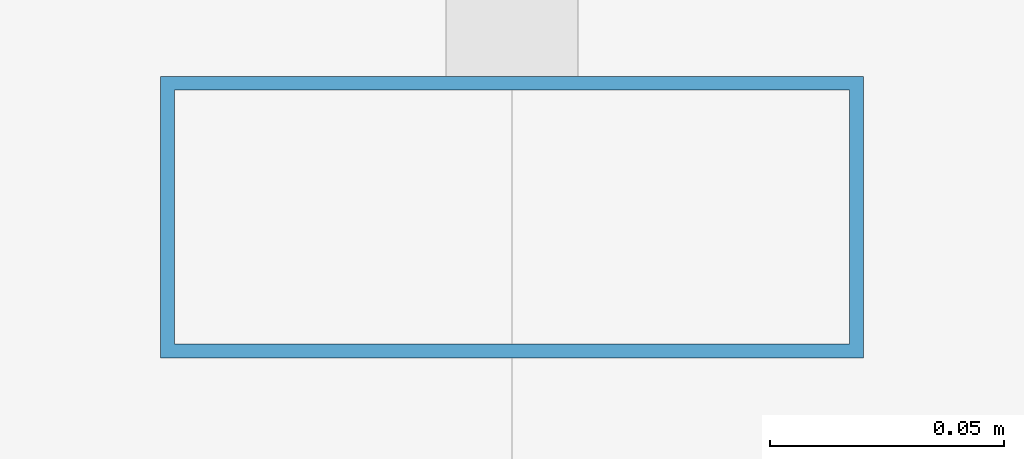
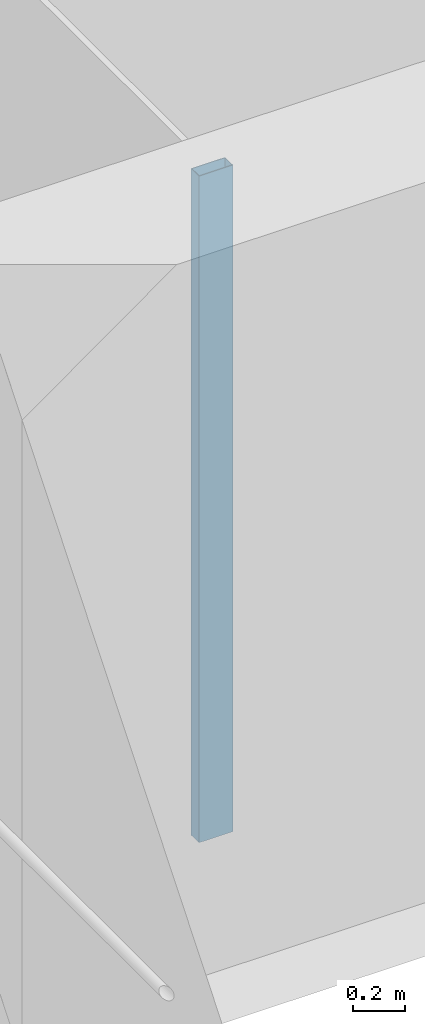
# One storey, part 11 of 46: 1 member, 1 element without a shape of its own.
"""IFC4 building model written with IfcOpenShell, lengths in metres."""

from ifc_helpers import new_model, si_unit, direction, frame, origin, origin_2d, place, context, subcontext, project, spatial, hollow_rectangle, extrude, material, material_profile, profile_set, type_object, element, aggregate, save


model = new_model("IFC4")

# Units and contexts
model_context = context("Model", 3, precision=1e-05, world=origin(), true_north=direction((0.0, 1.0)))
body_context = subcontext(model_context, "Body", "Model", "MODEL_VIEW")
ifc_project = project(units=[si_unit("LENGTHUNIT", "METRE"), si_unit("AREAUNIT", "SQUARE_METRE"), si_unit("VOLUMEUNIT", "CUBIC_METRE"), si_unit("PLANEANGLEUNIT", "RADIAN"), si_unit("MASSUNIT", "GRAM", prefix="KILO")], contexts=[model_context])

# Site, building, storey
site_placement = place(None, origin())
site = spatial("IfcSite", under=ifc_project, at=site_placement, CompositionType="ELEMENT")
building_placement = place(site_placement, origin())
building = spatial("IfcBuilding", under=site, at=building_placement, Name="Altepetl Exchange Towers", CompositionType="ELEMENT")
storey_placement = place(building_placement, frame((0.0, 0.0, 106.39990234375)))
storey = spatial("IfcBuildingStorey", under=building, at=storey_placement, Name="L26", CompositionType="ELEMENT", Elevation=106.39990234375)

# Curtain wall, member
ifc_material_1 = material(Name="Aluminium 6063-T6 glazing", Category="aluminium")
curtain_wall_type = type_object("IfcCurtainWallType", Name="Loggia glazing system", PredefinedType="NOTDEFINED", material=ifc_material_1)
curtain_wall_placement = place(storey_placement, origin())
curtain_wall = element("IfcCurtainWall", 1, at=curtain_wall_placement, inside=storey, type_object=curtain_wall_type, Name="CW1 run", PredefinedType="NOTDEFINED")
ifc_material_2 = material(Name="Aluminium 6063-T6", Category="aluminium")
ifc_material_profile = material_profile(ifc_material_2, hollow_rectangle(XDim=0.06005859375, YDim=0.14990234375, WallThickness=0.0029296875, at=origin_2d()), Name="Mullion 60x150 aluminium")
ifc_profile_set = profile_set([ifc_material_profile], Name="Aluminium 6063-T6")
member_type = type_object("IfcMemberType", Name="Mullion 60x150 aluminium", PredefinedType="MULLION", material=ifc_profile_set)
member_placement = place(storey_placement, frame((42.5, 58.60498046875, 0.0), z_axis=(0.0, 0.0, 1.0), x_axis=(0.0, -1.0, 0.0)))
member = element("IfcMember", 2, at=member_placement, type_object=member_type, Name="MU1 mullion", PredefinedType="MULLION", context=body_context, shape_type="SweptSolid", body=[
    extrude(hollow_rectangle(XDim=0.06005859375, YDim=0.14990234375, WallThickness=0.0029296875, at=origin_2d()), origin(), (0.0, 0.0, 1.0), 3.10009765625),
])
aggregate(curtain_wall, [member])

save(model, "model.ifc")
